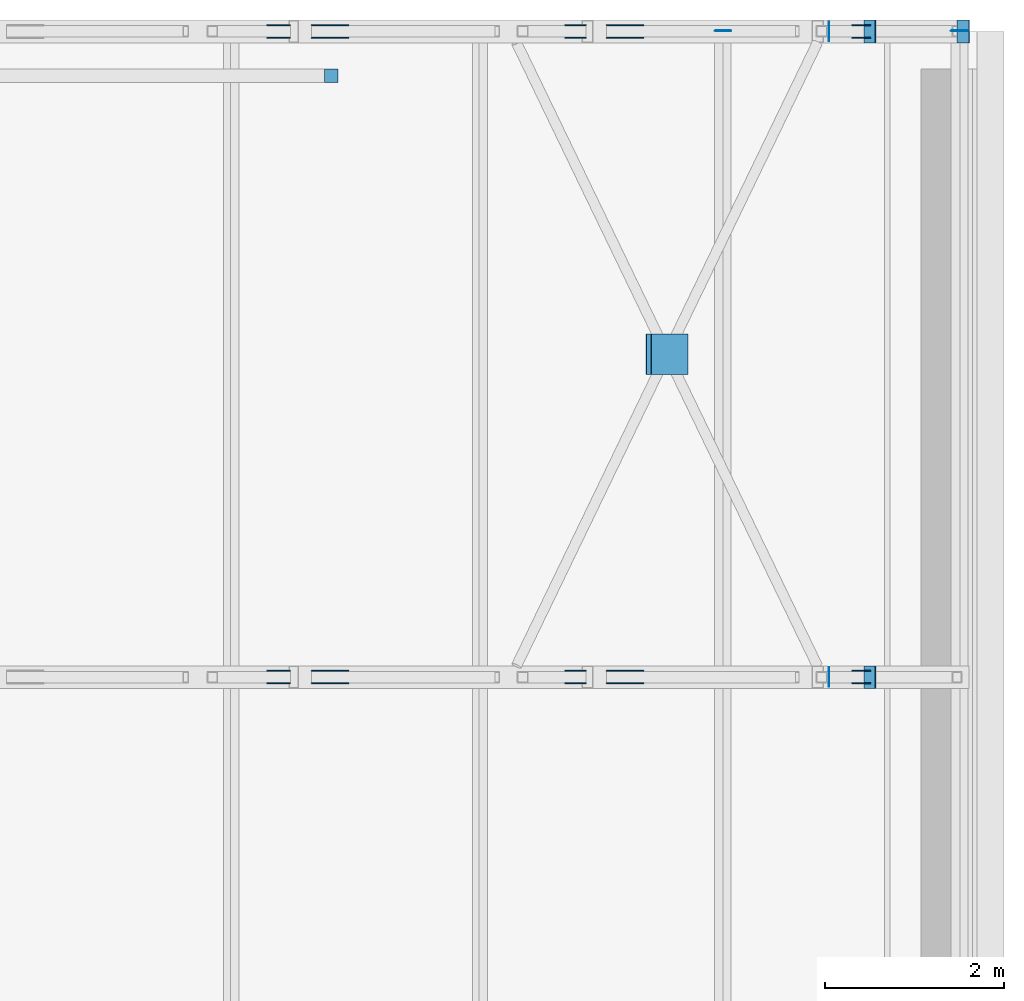
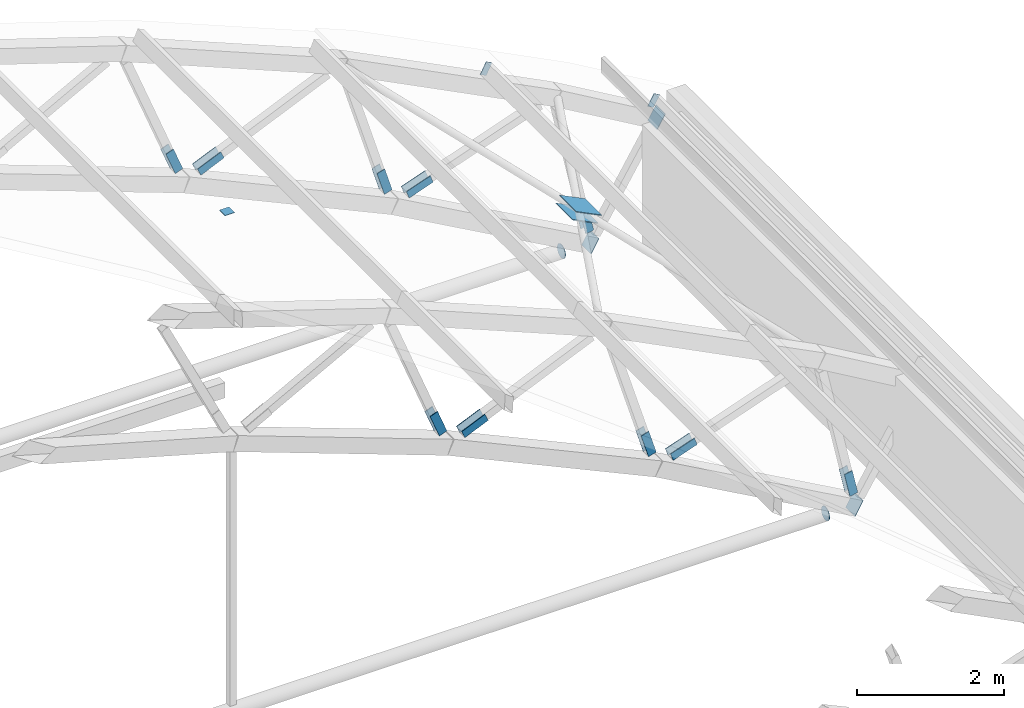
# One storey, part 117 of 127: 30 discrete accessories.
"""IFC4 building model written with IfcOpenShell, lengths in metres."""

import ifcopenshell
import ifcopenshell.guid

model = None  # the IFC model being written
_history = None  # IfcOwnerHistory: only IFC2X3 demands one
_inside = {}  # id of a spatial element -> (the spatial element, [elements in it])
_under = {}  # id of a project, library or spatial element -> (it, [spatial elements below it])
_declared = {}  # id of a project -> (the project, [libraries it declares])
_typed = {}  # id of a type object -> (the type object, [elements of that type])
_made_of = {}  # id of a material, layer set ... -> (it, [elements and type objects made of it])


def new_model(schema):
    """Start an empty IFC model of exactly this schema.

    Asked for "IFC4X3", IfcOpenShell would pick the latest addendum, in which some entities
    have other attributes; the version numbers below select the first issue.
    IFC2X3 requires an IfcOwnerHistory on every rooted entity: one is made here for all.
    """
    global model, _history
    if schema == "IFC4X3":
        model = ifcopenshell.file(schema_version=(4, 3, 0, 0))
    else:
        model = ifcopenshell.file(schema=schema)
    _inside.clear()
    _under.clear()
    _declared.clear()
    _typed.clear()
    _made_of.clear()
    _history = None
    if model.schema == "IFC2X3":
        org = make("IfcOrganization", Name="unknown")
        user = make(
            "IfcPersonAndOrganization",
            ThePerson=make("IfcPerson", FamilyName="unknown"),
            TheOrganization=org,
        )
        app = make(
            "IfcApplication",
            ApplicationDeveloper=org,
            Version="unknown",
            ApplicationFullName="unknown",
            ApplicationIdentifier="unknown",
        )
        _history = make(
            "IfcOwnerHistory",
            OwningUser=user,
            OwningApplication=app,
            ChangeAction="ADDED",
            CreationDate=0,
        )
    return model


def make(cls, **values):
    """One entity of the class cls with the attributes given. An attribute that is None is left unset."""
    return model.create_entity(
        cls, **{name: value for name, value in values.items() if value is not None}
    )


def rooted(cls, **values):
    """An entity with a GlobalId (a new one), such as an element, a storey or a relation."""
    return make(cls, GlobalId=ifcopenshell.guid.new(), OwnerHistory=_history, **values)


def si_unit(unit_type, name, prefix=None):
    """IfcSIUnit, for example si_unit("LENGTHUNIT", "METRE", prefix="MILLI")."""
    return make("IfcSIUnit", UnitType=unit_type, Prefix=prefix, Name=name)


def assignment(units):
    """IfcUnitAssignment: the units of a project."""
    return None if units is None else make("IfcUnitAssignment", Units=units)


def point(xyz):
    """IfcCartesianPoint."""
    return None if xyz is None else make("IfcCartesianPoint", Coordinates=xyz)


def direction(xyz):
    """IfcDirection."""
    return None if xyz is None else make("IfcDirection", DirectionRatios=xyz)


def frame(location, z_axis=None, x_axis=None):
    """IfcAxis2Placement3D, a coordinate frame: its origin and axes. An axis left out is left unset."""
    return make(
        "IfcAxis2Placement3D",
        Location=point(location),
        Axis=direction(z_axis),
        RefDirection=direction(x_axis),
    )


def frame_2d(location, x_axis=None):
    """IfcAxis2Placement2D, a coordinate frame in the plane: its origin and x axis."""
    return make(
        "IfcAxis2Placement2D", Location=point(location), RefDirection=direction(x_axis)
    )


def origin():
    """The frame at (0, 0, 0) with its axes left unset."""
    return frame((0.0, 0.0, 0.0))


def origin_2d():
    """The frame at (0, 0) in the plane with its x axis left unset."""
    return frame_2d((0.0, 0.0))


def place(relative_to, where):
    """IfcLocalPlacement: puts the frame where relative to a parent placement (None: the world)."""
    return make(
        "IfcLocalPlacement", PlacementRelTo=relative_to, RelativePlacement=where
    )


def context(
    kind, dimensions, precision=None, world=None, true_north=None, identifier=None
):
    """IfcGeometricRepresentationContext, for example the 3D "Model" context."""
    return make(
        "IfcGeometricRepresentationContext",
        ContextIdentifier=identifier,
        ContextType=kind,
        CoordinateSpaceDimension=dimensions,
        Precision=precision,
        WorldCoordinateSystem=world,
        TrueNorth=true_north,
    )


def subcontext(parent, identifier, kind, view, scale=None):
    """IfcGeometricRepresentationSubContext, for example "Body" below "Model"."""
    return make(
        "IfcGeometricRepresentationSubContext",
        ContextIdentifier=identifier,
        ContextType=kind,
        ParentContext=parent,
        TargetScale=scale,
        TargetView=view,
    )


def project(units=None, contexts=None):
    """IfcProject with its units and contexts."""
    return rooted(
        "IfcProject",
        Name="project",
        RepresentationContexts=contexts,
        UnitsInContext=assignment(units),
    )


def spatial(cls, under=None, at=None, **own):
    """A site, building, storey or space (cls), placed at a placement, below another one or the project."""
    s = rooted(cls, ObjectPlacement=at, **own)
    if under is not None:
        _under.setdefault(under.id(), (under, []))[1].append(s)
    return s


def profile(cls, at=None, kind="AREA", **sizes):
    """A parametric profile (cls). Its sizes go by their IFC names, for example OverallWidth=200.0."""
    return make(cls, ProfileType=kind, Position=at, **sizes)


def rectangle(**sizes):
    """IfcRectangleProfileDef."""
    return profile("IfcRectangleProfileDef", **sizes)


def circle(**sizes):
    """IfcCircleProfileDef."""
    return profile("IfcCircleProfileDef", **sizes)


def extrude(swept, where, along, depth):
    """IfcExtrudedAreaSolid: the profile swept, set in the frame where, extruded along a direction by depth."""
    return make(
        "IfcExtrudedAreaSolid",
        SweptArea=swept,
        Position=where,
        ExtrudedDirection=direction(along),
        Depth=depth,
    )


def shape(context_of_items, identifier, shape_type, items):
    """IfcShapeRepresentation: the items that make up one representation, for example the "Body"."""
    return make(
        "IfcShapeRepresentation",
        ContextOfItems=context_of_items,
        RepresentationIdentifier=identifier,
        RepresentationType=shape_type,
        Items=items,
    )


def material(Name=None, Category=None):
    """IfcMaterial."""
    return make("IfcMaterial", Name=Name, Category=Category)


def material_profile(
    of_material, cross_section, Name=None, Category=None, Priority=None
):
    """IfcMaterialProfile: a cross section and its material."""
    return make(
        "IfcMaterialProfile",
        Name=Name,
        Material=of_material,
        Profile=cross_section,
        Priority=Priority,
        Category=Category,
    )


def profile_set(profiles, Name=None, composite=None):
    """IfcMaterialProfileSet."""
    return make(
        "IfcMaterialProfileSet",
        Name=Name,
        MaterialProfiles=profiles,
        CompositeProfile=composite,
    )


def made_of(thing, what):
    """Note that an element or type object is made of a material, layer set ...; save() writes the relation."""
    if what is not None:
        _made_of.setdefault(what.id(), (what, []))[1].append(thing)
    return thing


def type_object(cls, material=None, **own):
    """A type object (cls), such as IfcWallType, which elements share."""
    return made_of(rooted(cls, **own), material)


def element(
    cls,
    number,
    at=None,
    inside=None,
    cuts=None,
    type_object=None,
    material=None,
    context=None,
    identifier="Body",
    shape_type=None,
    held_by="IfcProductDefinitionShape",
    body=None,
    shapes=None,
    **own,
):
    """One element of the class cls, such as IfcWall. Its Tag is "e" and its number.

    at: its placement. inside: the storey or other place that contains it. cuts: it is an
    opening in that element (IfcRelVoidsElement). A single representation is given by context,
    identifier, shape_type and body (its items); several are given by shapes. held_by: the class
    of the entity that holds the representations. save() writes the other relations.
    """
    e = rooted(cls, Tag="e%d" % number, ObjectPlacement=at, **own)
    if body is not None:
        shapes = [shape(context, identifier, shape_type, body)]
    if shapes is not None:
        e.Representation = make(held_by, Representations=shapes)
    if inside is not None:
        _inside.setdefault(inside.id(), (inside, []))[1].append(e)
    if cuts is not None:
        rooted(
            "IfcRelVoidsElement", RelatingBuildingElement=cuts, RelatedOpeningElement=e
        )
    if type_object is not None:
        _typed.setdefault(type_object.id(), (type_object, []))[1].append(e)
    return made_of(e, material)


def aggregate(whole, parts):
    """IfcRelAggregates: a whole, such as a stair, and the parts it consists of."""
    return rooted("IfcRelAggregates", RelatingObject=whole, RelatedObjects=parts)


def save(model, path):
    """Write the relations noted so far, then the file.

    IfcRelAggregates (storeys below a building ...), IfcRelContainedInSpatialStructure (elements
    in a storey), IfcRelDefinesByType, IfcRelAssociatesMaterial and IfcRelDeclares: one each for
    every whole, place, type object, material and project.
    """
    for whole, parts in _under.values():
        aggregate(whole, parts)
    for where, things in _inside.values():
        rooted(
            "IfcRelContainedInSpatialStructure",
            RelatedElements=things,
            RelatingStructure=where,
        )
    for kind, things in _typed.values():
        rooted("IfcRelDefinesByType", RelatedObjects=things, RelatingType=kind)
    for what, things in _made_of.values():
        rooted("IfcRelAssociatesMaterial", RelatedObjects=things, RelatingMaterial=what)
    for by, libraries in _declared.values():
        rooted("IfcRelDeclares", RelatingContext=by, RelatedDefinitions=libraries)
    model.write(path)


model = new_model("IFC4")

# Units and contexts
model_context = context("Model", 3, precision=1e-05, world=origin(), true_north=direction((0.0, 1.0)))
body_context = subcontext(model_context, "Body", "Model", "MODEL_VIEW")
ifc_project = project(units=[si_unit("LENGTHUNIT", "METRE"), si_unit("AREAUNIT", "SQUARE_METRE"), si_unit("VOLUMEUNIT", "CUBIC_METRE"), si_unit("PLANEANGLEUNIT", "RADIAN"), si_unit("MASSUNIT", "GRAM", prefix="KILO")], contexts=[model_context])

# Site, building, storey
site_placement = place(None, origin())
site = spatial("IfcSite", under=ifc_project, at=site_placement, CompositionType="ELEMENT")
building_placement = place(site_placement, origin())
building = spatial("IfcBuilding", under=site, at=building_placement, Name="Verrick Yard Athletic Hall", CompositionType="ELEMENT")
storey_placement = place(building_placement, frame((0.0, 0.0, 14.0)))
storey = spatial("IfcBuildingStorey", under=building, at=storey_placement, Name="L03", CompositionType="ELEMENT", Elevation=14.0)

# Discrete accessories
ifc_material = material(Name="Structural steel 350W (CSA G40.21)", Category="steel")
ifc_material_profile_1 = material_profile(ifc_material, rectangle(XDim=0.39990234375, YDim=0.126953125, at=origin_2d()), Name="Brace end cheek plate")
ifc_profile_set_1 = profile_set([ifc_material_profile_1], Name="Structural steel 350W (CSA G40.21)")
discrete_accessory_type_1 = type_object("IfcDiscreteAccessoryType", Name="Brace end cheek plate 400x127x12", PredefinedType="BRACKET", material=ifc_profile_set_1)
for number, where, z_axis, x_axis, name in (
    (1, (163.01318359375, 100.736572265625, 3.684814453125), (0.0, -1.0, 0.0), (-0.363562561074, 0.0, 0.931569784925), "Truss web end plate TA5-24 1"),
    (2, (163.01318359375, 100.863525390625, 3.684814453125), (0.0, 1.0, 0.0), (-0.363562561074, 0.0, 0.931569784925), "Truss web end plate TA5-24 2"),
    (3, (163.587158203125, 100.863525390625, 3.447509765625), (0.0, 1.0, 0.0), (0.915285173692, 0.0, 0.402806468194), "Truss web end plate TA5-25 1"),
    (4, (163.587158203125, 100.736572265625, 3.447509765625), (0.0, -1.0, 0.0), (0.915285173692, 0.0, 0.402806468194), "Truss web end plate TA5-25 2"),
    (5, (166.322265625, 100.736572265625, 2.18896484375), (0.0, -1.0, 0.0), (-0.289473335175, 0.0, 0.95718607816), "Truss web end plate TA5-26 1"),
    (6, (166.322265625, 100.863525390625, 2.18896484375), (0.0, 1.0, 0.0), (-0.289473335175, 0.0, 0.95718607816), "Truss web end plate TA5-26 2"),
    (7, (166.8759765625, 100.863525390625, 1.907470703125), (0.0, 1.0, 0.0), (0.944025603302, 0.0, 0.32987218784), "Truss web end plate TA5-27 1"),
    (8, (166.8759765625, 100.736572265625, 1.907470703125), (0.0, -1.0, 0.0), (0.944025603302, 0.0, 0.32987218784), "Truss web end plate TA5-27 2"),
    (9, (169.509033203125, 100.736572265625, 0.416015625), (0.0, -1.0, 0.0), (-0.213605450371, 0.0, 0.976920012883), "Truss web end plate TA5-28 1"),
    (10, (169.509033203125, 100.863525390625, 0.416015625), (0.0, 1.0, 0.0), (-0.213605450371, 0.0, 0.976920012883), "Truss web end plate TA5-28 2"),
    (11, (163.01318359375, 107.9365234375, 3.684814453125), (0.0, -1.0, 0.0), (-0.363562561074, 0.0, 0.931569784925), "Truss web end plate TA6-24 1"),
    (12, (163.01318359375, 108.0634765625, 3.684814453125), (0.0, 1.0, 0.0), (-0.363562561074, 0.0, 0.931569784925), "Truss web end plate TA6-24 2"),
    (13, (163.587158203125, 108.0634765625, 3.447509765625), (0.0, 1.0, 0.0), (0.915285173692, 0.0, 0.402806468194), "Truss web end plate TA6-25 1"),
    (14, (163.587158203125, 107.9365234375, 3.447509765625), (0.0, -1.0, 0.0), (0.915285173692, 0.0, 0.402806468194), "Truss web end plate TA6-25 2"),
    (15, (166.322265625, 107.9365234375, 2.18896484375), (0.0, -1.0, 0.0), (-0.289473335175, 0.0, 0.95718607816), "Truss web end plate TA6-26 1"),
    (16, (166.322265625, 108.0634765625, 2.18896484375), (0.0, 1.0, 0.0), (-0.289473335175, 0.0, 0.95718607816), "Truss web end plate TA6-26 2"),
    (17, (166.8759765625, 108.0634765625, 1.907470703125), (0.0, 1.0, 0.0), (0.944025603302, 0.0, 0.32987218784), "Truss web end plate TA6-27 1"),
    (18, (166.8759765625, 107.9365234375, 1.907470703125), (0.0, -1.0, 0.0), (0.944025603302, 0.0, 0.32987218784), "Truss web end plate TA6-27 2"),
    (19, (169.509033203125, 107.9365234375, 0.416015625), (0.0, -1.0, 0.0), (-0.213605450371, 0.0, 0.976920012883), "Truss web end plate TA6-28 1"),
    (20, (169.509033203125, 108.0634765625, 0.416015625), (0.0, 1.0, 0.0), (-0.213605450371, 0.0, 0.976920012883), "Truss web end plate TA6-28 2"),
):
    element("IfcDiscreteAccessory", number, at=place(storey_placement, frame(where, z_axis=z_axis, x_axis=x_axis)), inside=storey, type_object=discrete_accessory_type_1, Name=name, PredefinedType="BRACKET", context=body_context, shape_type="SweptSolid", body=[
        extrude(rectangle(XDim=0.39990234375, YDim=0.126953125, at=origin_2d()), origin(), (0.0, 0.0, 1.0), 0.011962890625),
    ])
ifc_material_profile_2 = material_profile(ifc_material, rectangle(XDim=0.449951171875, YDim=0.449951171875, at=origin_2d()), Name="Brace node plate")
ifc_profile_set_2 = profile_set([ifc_material_profile_2], Name="Structural steel 350W (CSA G40.21)")
discrete_accessory_type_2 = type_object("IfcDiscreteAccessoryType", Name="Brace node plate 450x450x12", PredefinedType="BRACKET", material=ifc_profile_set_2)
for number, where, z_axis, x_axis, name in (
    (21, (167.316162109375, 104.39990234375, 3.458251953125), (-0.4472135955, 0.0, -0.894427191), (0.0, -1.0, 0.0), "Brace node plate A5-12 1"),
    (22, (167.3681640625, 104.39990234375, 3.56005859375), (0.4472135955, 0.0, 0.894427191), (0.0, 1.0, 0.0), "Brace node plate A5-12 2"),
):
    element("IfcDiscreteAccessory", number, at=place(storey_placement, frame(where, z_axis=z_axis, x_axis=x_axis)), inside=storey, type_object=discrete_accessory_type_2, Name=name, PredefinedType="BRACKET", context=body_context, shape_type="SweptSolid", body=[
        extrude(rectangle(XDim=0.449951171875, YDim=0.449951171875, at=origin_2d()), origin(), (0.0, 0.0, 1.0), 0.011962890625),
    ])
ifc_material_profile_3 = material_profile(ifc_material, rectangle(XDim=0.1015625, YDim=0.203125, at=origin_2d()), Name="STR End cap plate 203x102x9.5")
ifc_profile_set_3 = profile_set([ifc_material_profile_3], Name="Structural steel 350W (CSA G40.21)")
discrete_accessory_type_3 = type_object("IfcDiscreteAccessoryType", Name="STR End cap plate 203x102x9.5", PredefinedType="BRACKET", material=ifc_profile_set_3)
for number, where, z_axis, x_axis, name in (
    (23, (167.965087890625, 108.0, 3.44873046875), (0.0, 1.0, 0.0), (-0.891352741199, 0.0, 0.453310369126), "End cap HB-PU-A-5-17 B"),
    (24, (170.60302734375, 108.0, 1.99462890625), (0.0, 1.0, 0.0), (-0.86316809178, 0.0, 0.504916671673), "End cap HB-PU-A-5-18 B"),
):
    element("IfcDiscreteAccessory", number, at=place(storey_placement, frame(where, z_axis=z_axis, x_axis=x_axis)), inside=storey, type_object=discrete_accessory_type_3, Name=name, PredefinedType="BRACKET", context=body_context, shape_type="SweptSolid", body=[
        extrude(rectangle(XDim=0.1015625, YDim=0.203125, at=origin_2d()), origin(), (0.0, 0.0, 1.0), 0.010009765625),
    ])
ifc_material_profile_4 = material_profile(ifc_material, rectangle(XDim=0.25390625, YDim=0.25390625, at=origin_2d()), Name="STR End cap plate 254x254x9.5")
ifc_profile_set_4 = profile_set([ifc_material_profile_4], Name="Structural steel 350W (CSA G40.21)")
discrete_accessory_type_4 = type_object("IfcDiscreteAccessoryType", Name="STR End cap plate 254x254x9.5", PredefinedType="BRACKET", material=ifc_profile_set_4)
for number, where, z_axis, x_axis, name in (
    (25, (169.60009765625, 100.800048828125, 0.0), (0.868243142124, 0.0, -0.496138938357), (0.0, 1.0, 0.0), "End cap Truss TA5 bottom chord 14 B"),
    (26, (169.60009765625, 108.0, 0.0), (0.868243142124, 0.0, -0.496138938357), (0.0, 1.0, 0.0), "End cap Truss TA6 bottom chord 14 B"),
):
    element("IfcDiscreteAccessory", number, at=place(storey_placement, frame(where, z_axis=z_axis, x_axis=x_axis)), inside=storey, type_object=discrete_accessory_type_4, Name=name, PredefinedType="BRACKET", context=body_context, shape_type="SweptSolid", body=[
        extrude(rectangle(XDim=0.25390625, YDim=0.25390625, at=origin_2d()), origin(), (0.0, 0.0, 1.0), 0.009765625),
    ])
discrete_accessory_1_placement = place(storey_placement, frame((170.6435546875, 108.0, 1.706298828125), z_axis=(0.857492925713, 0.0, -0.514495755428), x_axis=(0.0, 1.0, 0.0)))
element("IfcDiscreteAccessory", 27, at=discrete_accessory_1_placement, inside=storey, type_object=discrete_accessory_type_4, Name="End cap Truss TA6 top chord 15 B", PredefinedType="BRACKET", context=body_context, shape_type="SweptSolid", body=[
    extrude(rectangle(XDim=0.25390625, YDim=0.25390625, at=origin_2d()), origin(), (0.0, 0.0, 1.0), 0.010009765625),
])
ifc_material_profile_5 = material_profile(ifc_material, rectangle(XDim=0.15234375, YDim=0.15234375, at=origin_2d()), Name="STR End cap plate 152x152x9.5")
ifc_profile_set_5 = profile_set([ifc_material_profile_5], Name="Structural steel 350W (CSA G40.21)")
discrete_accessory_type_5 = type_object("IfcDiscreteAccessoryType", Name="STR End cap plate 152x152x9.5", PredefinedType="BRACKET", material=ifc_profile_set_5)
discrete_accessory_2_placement = place(storey_placement, frame((163.60009765625, 107.50537109375, 2.89697265625), z_axis=(0.0, 0.0, 1.0), x_axis=(1.0, 0.0, 0.0)))
element("IfcDiscreteAccessory", 28, at=discrete_accessory_2_placement, inside=storey, type_object=discrete_accessory_type_5, Name="End cap HB-GP-AN-7 B", PredefinedType="BRACKET", context=body_context, shape_type="SweptSolid", body=[
    extrude(rectangle(XDim=0.15234375, YDim=0.15234375, at=origin_2d()), origin(), (0.0, 0.0, 1.0), 0.010009765625),
])
ifc_material_profile_6 = material_profile(ifc_material, circle(Radius=0.109619140625, at=origin_2d()), Name="STR End cap plate 219x13")
ifc_profile_set_6 = profile_set([ifc_material_profile_6], Name="Structural steel 350W (CSA G40.21)")
discrete_accessory_type_6 = type_object("IfcDiscreteAccessoryType", Name="STR End cap plate 219x13", PredefinedType="BRACKET", material=ifc_profile_set_6)
for number, where, z_axis, x_axis, name in (
    (29, (169.143798828125, 108.0, 0.0), (1.0, 0.0, 0.0), (0.0, 1.0, 0.0), "End cap Truss TA6 tie 1 B"),
    (30, (169.143798828125, 100.800048828125, 0.0), (1.0, 0.0, 0.0), (0.0, 1.0, 0.0), "End cap Truss TA5 tie 1 B"),
):
    element("IfcDiscreteAccessory", number, at=place(storey_placement, frame(where, z_axis=z_axis, x_axis=x_axis)), inside=storey, type_object=discrete_accessory_type_6, Name=name, PredefinedType="BRACKET", context=body_context, shape_type="SweptSolid", body=[
        extrude(circle(Radius=0.109619140625, at=origin_2d()), origin(), (0.0, 0.0, 1.0), 0.010009765625),
    ])

save(model, "model.ifc")
